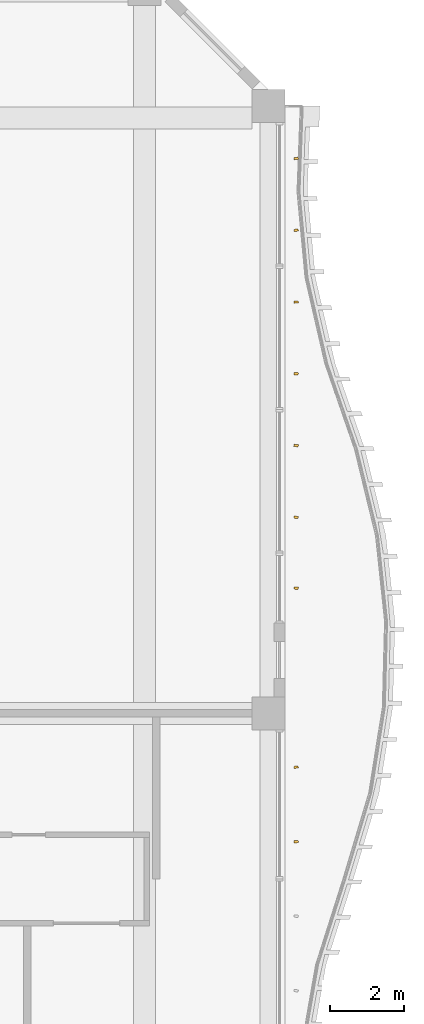
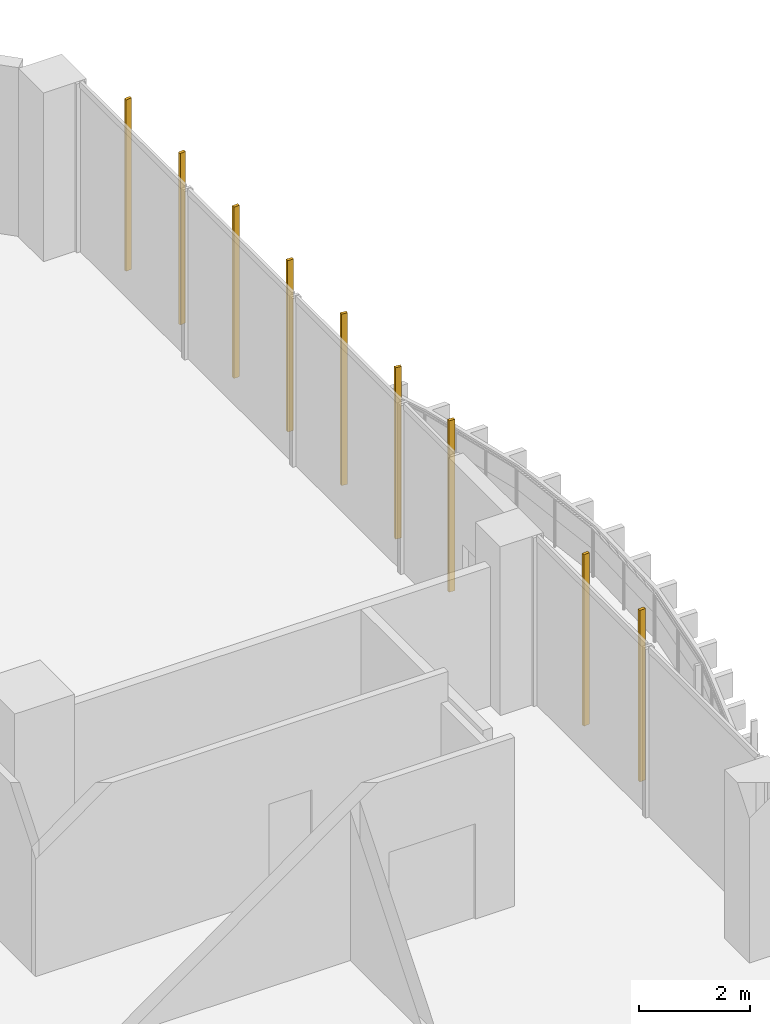
# One storey, part 27 of 27: 9 shading devices.
"""IFC4 building model written with IfcOpenShell, lengths in metres."""

from ifc_helpers import new_model, si_unit, direction, frame, origin, origin_2d, place, context, subcontext, project, spatial, rectangle, extrude, source, transform, mapped, material, material_profile, profile_set, type_object, element, save


model = new_model("IFC4")

# Units and contexts
model_context = context("Model", 3, precision=1e-05, world=origin(), true_north=direction((0.0, 1.0)))
body_context = subcontext(model_context, "Body", "Model", "MODEL_VIEW")
ifc_project = project(units=[si_unit("LENGTHUNIT", "METRE"), si_unit("AREAUNIT", "SQUARE_METRE"), si_unit("VOLUMEUNIT", "CUBIC_METRE"), si_unit("PLANEANGLEUNIT", "RADIAN"), si_unit("MASSUNIT", "GRAM", prefix="KILO")], contexts=[model_context])

# Site, building, storey
site_placement = place(None, origin())
site = spatial("IfcSite", under=ifc_project, at=site_placement, CompositionType="ELEMENT")
building_placement = place(site_placement, origin())
building = spatial("IfcBuilding", under=site, at=building_placement, Name="Kilnfold Tower and Market Hall", CompositionType="ELEMENT")
storey_placement = place(building_placement, frame((0.0, 0.0, 71.199951171875)))
storey = spatial("IfcBuildingStorey", under=building, at=storey_placement, Name="L16", CompositionType="ELEMENT", Elevation=71.199951171875)

# Shading devices
ifc_material = material(Name="Terracotta", Category="masonry")
ifc_material_profile = material_profile(ifc_material, rectangle(XDim=0.06005859375, YDim=0.1201171875, at=origin_2d()), Name="BAG 60x120")
ifc_profile_set = profile_set([ifc_material_profile], Name="Terracotta")
shading_device_type = type_object("IfcShadingDeviceType", Name="BAGUETTE", PredefinedType="USERDEFINED", material=ifc_profile_set)
shared_shape = source(origin(), body_context, "Body", "SweptSolid", [
    extrude(rectangle(XDim=0.06005859375, YDim=0.1201171875, at=origin_2d()), origin(), (0.0, 0.0, 1.0), 3.780029296875),
])
for number, where, z_axis, x_axis, name in (
    (1, (33.300048828125, 4.512451171875, 0.0), (0.0, 0.0, 1.0), (-0.034609947078, 0.999400896319, 0.0), "Terracotta baguette L16 E"),
    (2, (33.300048828125, 6.53759765625, 0.0), (0.0, 0.0, 1.0), (-0.127625491348, 0.991822430659, 0.0), "Terracotta baguette L16 E"),
    (3, (33.300048828125, 11.39990234375, 0.0), (0.0, 0.0, 1.0), (0.027743684107, 0.99961506991, 0.0), "Terracotta baguette L16 E"),
    (4, (33.300048828125, 13.324951171875, 0.0), (0.0, 0.0, 1.0), (0.121772332913, 0.99255805822, 0.0), "Terracotta baguette L16 E"),
    (5, (33.300048828125, 15.27490234375, 0.0), (0.0, 0.0, 1.0), (0.129892840067, 0.991528037979, 0.0), "Terracotta baguette L16 E"),
    (6, (33.300048828125, 17.22509765625, 0.0), (0.0, 0.0, 1.0), (0.044871306473, 0.998992775677, 0.0), "Terracotta baguette L16 E"),
    (7, (33.300048828125, 19.175048828125, 0.0), (0.0, 0.0, 1.0), (-0.072663773109, 0.997356493977, 0.0), "Terracotta baguette L16 E"),
    (8, (33.300048828125, 21.125, 0.0), (0.0, 0.0, 1.0), (-0.137665824543, 0.990478733115, 0.0), "Terracotta baguette L16 E"),
    (9, (33.300048828125, 23.074951171875, 0.0), (0.0, 0.0, 1.0), (-0.104099718833, 0.99456686479, 0.0), "Terracotta baguette L16 E"),
):
    element("IfcShadingDevice", number, at=place(storey_placement, frame(where, z_axis=z_axis, x_axis=x_axis)), inside=storey, type_object=shading_device_type, Name=name, ObjectType="BAGUETTE", PredefinedType="USERDEFINED", context=body_context, shape_type="MappedRepresentation", body=[
        mapped(shared_shape, transform((0.0, 0.0, 0.0))),
    ])

save(model, "model.ifc")
